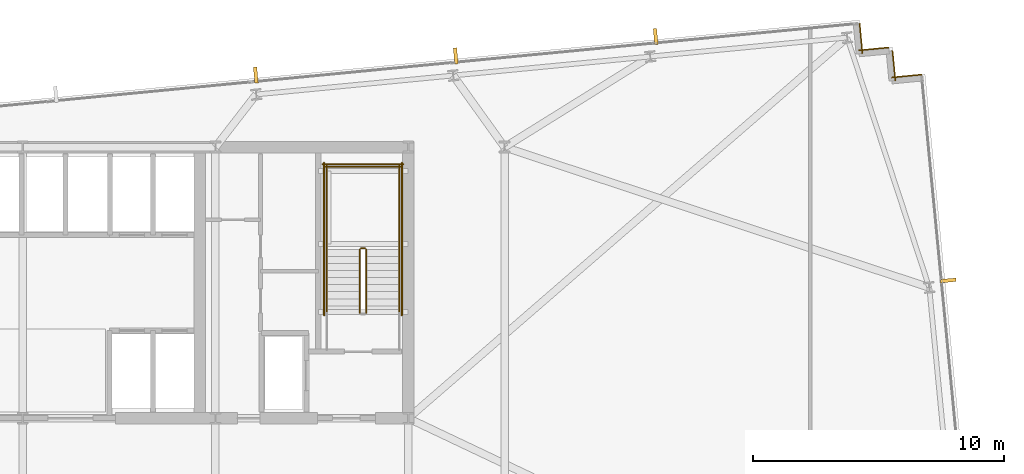
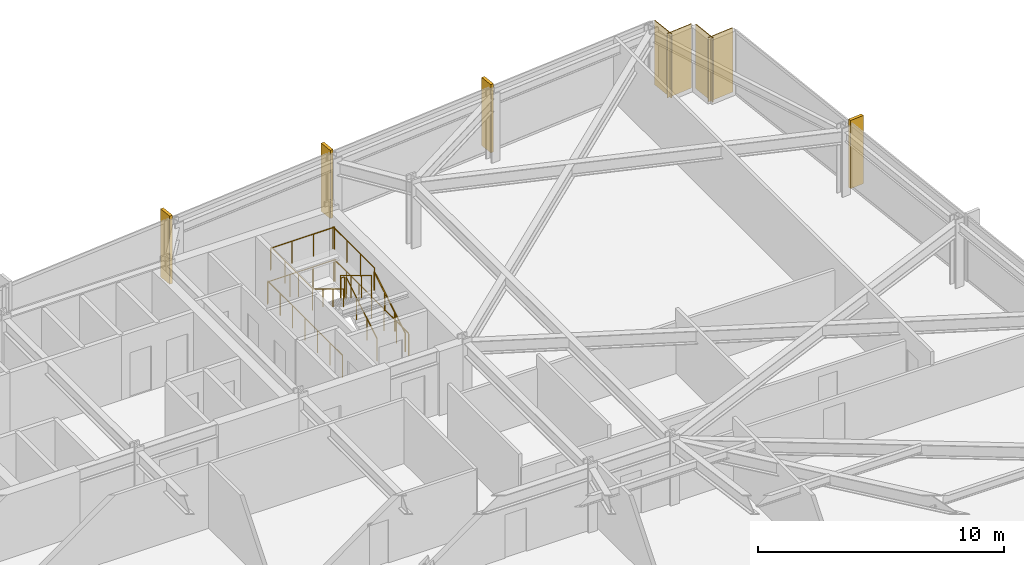
# One storey, part 32 of 32: 11 railings, 4 coverings, 4 shading devices.
"""IFC4 building model written with IfcOpenShell, lengths in metres."""

from ifc_helpers import new_model, si_unit, direction, frame, frame_2d, origin, origin_2d, place, context, subcontext, project, spatial, rectangle, circle, extrude, material, layer, layer_set, type_object, element, save


model = new_model("IFC4")

# Units and contexts
model_context = context("Model", 3, precision=1e-05, world=origin(), true_north=direction((0.0, 1.0)))
body_context = subcontext(model_context, "Body", "Model", "MODEL_VIEW")
ifc_project = project(units=[si_unit("LENGTHUNIT", "METRE"), si_unit("AREAUNIT", "SQUARE_METRE"), si_unit("VOLUMEUNIT", "CUBIC_METRE"), si_unit("PLANEANGLEUNIT", "RADIAN"), si_unit("MASSUNIT", "GRAM", prefix="KILO")], contexts=[model_context])

# Site, building, storey
site_placement = place(None, origin())
site = spatial("IfcSite", under=ifc_project, at=site_placement, CompositionType="ELEMENT")
building_placement = place(site_placement, origin())
building = spatial("IfcBuilding", under=site, at=building_placement, Name="Yelkora Congress Tower", CompositionType="ELEMENT")
storey_placement = place(building_placement, frame((0.0, 0.0, 93.10009765625)))
storey = spatial("IfcBuildingStorey", under=building, at=storey_placement, Name="L24", CompositionType="ELEMENT", Elevation=93.10009765625)

# Coverings
ifc_material_1 = material(Name="Anatolian bush-hammered limestone", Category="masonry")
ifc_layer_1 = layer(ifc_material_1, 0.0400390625)
ifc_layer_set_1 = layer_set([ifc_layer_1], Name="Anatolian bush-hammered limestone")
covering_type = type_object("IfcCoveringType", Name="COV-CLAD-SPANDREL-40", PredefinedType="CLADDING", material=ifc_layer_set_1)
for number, where, z_axis, x_axis, name in (
    (1, (71.74609375, 51.1279296875, 0.0), (0.0, 0.0, 1.0), (0.095817067274, -0.995398960025, 0.0), "L24 Anatolian Limestone Cladding EW-L24-SR11"),
    (2, (71.7138671875, 50.0546875, 0.0), (0.0, 0.0, 1.0), (0.995379537303, 0.096018626938, 0.0), "L24 Anatolian Limestone Cladding EW-L24-SR12"),
):
    element("IfcCovering", number, at=place(storey_placement, frame(where, z_axis=z_axis, x_axis=x_axis)), inside=storey, type_object=covering_type, Name=name, PredefinedType="CLADDING", context=body_context, shape_type="SweptSolid", body=[
        extrude(rectangle(XDim=1.2001953125, YDim=0.0400390625, at=frame_2d((0.60009765625, 0.0))), origin(), (0.0, 0.0, 1.0), 3.179931640625),
    ])
covering_1_placement = place(storey_placement, frame((73.0556640625, 50.04833984375, 0.0), z_axis=(0.0, 0.0, 1.0), x_axis=(0.095836473879, -0.995397091755, 0.0)))
element("IfcCovering", 3, at=covering_1_placement, inside=storey, type_object=covering_type, Name="L24 Anatolian Limestone Cladding EW-L24-SR13", PredefinedType="CLADDING", context=body_context, shape_type="SweptSolid", body=[
    extrude(rectangle(XDim=1.199951171875, YDim=0.0400390625, at=frame_2d((0.60009765625, 0.0))), origin(), (0.0, 0.0, 1.0), 3.179931640625),
])
covering_2_placement = place(storey_placement, frame((73.0234375, 48.975341796875, 0.0), z_axis=(0.0, 0.0, 1.0), x_axis=(0.995398960025, 0.095817067274, 0.0)))
element("IfcCovering", 4, at=covering_2_placement, inside=storey, type_object=covering_type, Name="L24 Anatolian Limestone Cladding EW-L24-SR14", PredefinedType="CLADDING", context=body_context, shape_type="SweptSolid", body=[
    extrude(rectangle(XDim=1.2001953125, YDim=0.0400390625, at=frame_2d((0.60009765625, 0.0))), origin(), (0.0, 0.0, 1.0), 3.179931640625),
])

# Railings
ifc_material_2 = material(Name="Painted galvanised steel stair well guard with vertical infill", Category="steel")
ifc_layer_2 = layer(ifc_material_2, 0.06005859375)
ifc_layer_set_2 = layer_set([ifc_layer_2], Name="Painted galvanised steel stair well guard with vertical infill")
railing_type_1 = type_object("IfcRailingType", Name="RAIL-STAIR-GUARD-1120", PredefinedType="GUARDRAIL", material=ifc_layer_set_2)
railing_1_placement = place(storey_placement, frame((52.090087890625, 39.60009765625, 0.169921875)))
element("IfcRailing", 5, at=railing_1_placement, inside=storey, type_object=railing_type_1, Name="ST-02 L24 Stair Well Guardrail 1", PredefinedType="GUARDRAIL", context=body_context, shape_type="SweptSolid", body=[
    extrude(circle(Radius=0.02392578125, at=origin_2d()), frame((0.0, 0.0, 1.09619140625), z_axis=(0.0, 0.85478489116, 0.518982456201), x_axis=(-1.0, 0.0, 0.0)), (0.0, 0.0, 1.0), 2.9482421875),
    extrude(circle(Radius=0.02099609375, at=origin_2d()), origin(), (0.0, 0.0, 1.0), 1.072021484375),
    extrude(circle(Radius=0.02099609375, at=origin_2d()), frame((0.0, 0.840087890625, 0.510009765625)), (0.0, 0.0, 1.0), 1.072021484375),
    extrude(circle(Radius=0.02099609375, at=origin_2d()), frame((0.0, 1.679931640625, 1.02001953125)), (0.0, 0.0, 1.0), 1.072021484375),
    extrude(circle(Radius=0.02099609375, at=origin_2d()), frame((0.0, 2.52001953125, 1.530029296875)), (0.0, 0.0, 1.0), 1.072021484375),
])
railing_2_placement = place(storey_placement, frame((52.0400390625, 42.169921875, 1.699951171875)))
element("IfcRailing", 6, at=railing_2_placement, inside=storey, type_object=railing_type_1, Name="ST-02 L24 Stair Well Guardrail 2", PredefinedType="GUARDRAIL", context=body_context, shape_type="SweptSolid", body=[
    extrude(circle(Radius=0.02392578125, at=origin_2d()), frame((0.0, 0.0, 1.09619140625), z_axis=(-1.0, 0.0, 0.0), x_axis=(0.0, -1.0, 0.0)), (0.0, 0.0, 1.0), 0.16015625),
    extrude(circle(Radius=0.02099609375, at=origin_2d()), origin(), (0.0, 0.0, 1.0), 1.072021484375),
    extrude(circle(Radius=0.02099609375, at=origin_2d()), frame((-0.16015625, 0.0, 0.0)), (0.0, 0.0, 1.0), 1.072021484375),
])
for number, where, name in (
    (7, (53.409912109375, 42.1201171875, 1.699951171875), "ST-02 L24 Stair Well Guardrail 3"),
    (8, (50.510009765625, 42.1201171875, 1.699951171875), "ST-02 L24 Stair Well Guardrail 4"),
):
    element("IfcRailing", number, at=place(storey_placement, frame(where)), inside=storey, type_object=railing_type_1, Name=name, PredefinedType="GUARDRAIL", context=body_context, shape_type="SweptSolid", body=[
        extrude(circle(Radius=0.02392578125, at=origin_2d()), frame((0.0, 0.0, 1.09619140625), z_axis=(0.0, 1.0, 0.0), x_axis=(-1.0, 0.0, 0.0)), (0.0, 0.0, 1.0), 3.349853515625),
        extrude(circle(Radius=0.02099609375, at=origin_2d()), origin(), (0.0, 0.0, 1.0), 1.072021484375),
        extrude(circle(Radius=0.02099609375, at=origin_2d()), frame((0.0, 1.11669921875, 0.0)), (0.0, 0.0, 1.0), 1.072021484375),
        extrude(circle(Radius=0.02099609375, at=origin_2d()), frame((0.0, 2.233154296875, 0.0)), (0.0, 0.0, 1.0), 1.072021484375),
        extrude(circle(Radius=0.02099609375, at=origin_2d()), frame((0.0, 3.349853515625, 0.0)), (0.0, 0.0, 1.0), 1.072021484375),
    ])
railing_3_placement = place(storey_placement, frame((53.4599609375, 45.419921875, 1.699951171875)))
element("IfcRailing", 9, at=railing_3_placement, inside=storey, type_object=railing_type_1, Name="ST-02 L24 Stair Well Guardrail 5", PredefinedType="GUARDRAIL", context=body_context, shape_type="SweptSolid", body=[
    extrude(circle(Radius=0.02392578125, at=origin_2d()), frame((0.0, 0.0, 1.09619140625), z_axis=(-1.0, 0.0, 0.0), x_axis=(0.0, -1.0, 0.0)), (0.0, 0.0, 1.0), 3.0),
    extrude(circle(Radius=0.02099609375, at=origin_2d()), origin(), (0.0, 0.0, 1.0), 1.072021484375),
    extrude(circle(Radius=0.02099609375, at=origin_2d()), frame((-1.0, 0.0, 0.0)), (0.0, 0.0, 1.0), 1.072021484375),
    extrude(circle(Radius=0.02099609375, at=origin_2d()), frame((-2.0, 0.0, 0.0)), (0.0, 0.0, 1.0), 1.072021484375),
    extrude(circle(Radius=0.02099609375, at=origin_2d()), frame((-3.0, 0.0, 0.0)), (0.0, 0.0, 1.0), 1.072021484375),
])
railing_4_placement = place(storey_placement, frame((51.830078125, 42.1201171875, 1.869873046875)))
element("IfcRailing", 10, at=railing_4_placement, inside=storey, type_object=railing_type_1, Name="ST-02 L24 Stair Well Guardrail 6", PredefinedType="GUARDRAIL", context=body_context, shape_type="SweptSolid", body=[
    extrude(circle(Radius=0.02392578125, at=origin_2d()), frame((0.0, 0.0, 1.09619140625), z_axis=(0.0, -0.85478489116, 0.518982456201), x_axis=(1.0, 0.0, 0.0)), (0.0, 0.0, 1.0), 2.9482421875),
    extrude(circle(Radius=0.02099609375, at=origin_2d()), origin(), (0.0, 0.0, 1.0), 1.072021484375),
    extrude(circle(Radius=0.02099609375, at=origin_2d()), frame((0.0, -0.840087890625, 0.510009765625)), (0.0, 0.0, 1.0), 1.072021484375),
    extrude(circle(Radius=0.02099609375, at=origin_2d()), frame((0.0, -1.679931640625, 1.02001953125)), (0.0, 0.0, 1.0), 1.072021484375),
    extrude(circle(Radius=0.02099609375, at=origin_2d()), frame((0.0, -2.52001953125, 1.530029296875)), (0.0, 0.0, 1.0), 1.072021484375),
])
for number, where, name in (
    (11, (53.510009765625, 39.5, 0.0), "ST-02 L24 Stair Well Guardrail 10"),
    (12, (50.409912109375, 39.5, 0.0), "ST-02 L24 Stair Well Guardrail 11"),
):
    element("IfcRailing", number, at=place(storey_placement, frame(where)), inside=storey, type_object=railing_type_1, Name=name, PredefinedType="GUARDRAIL", context=body_context, shape_type="SweptSolid", body=[
        extrude(circle(Radius=0.02392578125, at=origin_2d()), frame((0.0, 0.0, 1.09619140625), z_axis=(0.0, 1.0, 0.0), x_axis=(-1.0, 0.0, 0.0)), (0.0, 0.0, 1.0), 6.070068359375),
        extrude(circle(Radius=0.02099609375, at=origin_2d()), origin(), (0.0, 0.0, 1.0), 1.072021484375),
        extrude(circle(Radius=0.02099609375, at=origin_2d()), frame((0.0, 1.01171875, 0.0)), (0.0, 0.0, 1.0), 1.072021484375),
        extrude(circle(Radius=0.02099609375, at=origin_2d()), frame((0.0, 2.0234375, 0.0)), (0.0, 0.0, 1.0), 1.072021484375),
        extrude(circle(Radius=0.02099609375, at=origin_2d()), frame((0.0, 3.03515625, 0.0)), (0.0, 0.0, 1.0), 1.072021484375),
        extrude(circle(Radius=0.02099609375, at=origin_2d()), frame((0.0, 4.046630859375, 0.0)), (0.0, 0.0, 1.0), 1.072021484375),
        extrude(circle(Radius=0.02099609375, at=origin_2d()), frame((0.0, 5.058349609375, 0.0)), (0.0, 0.0, 1.0), 1.072021484375),
        extrude(circle(Radius=0.02099609375, at=origin_2d()), frame((0.0, 6.070068359375, 0.0)), (0.0, 0.0, 1.0), 1.072021484375),
    ])
railing_5_placement = place(storey_placement, frame((53.56005859375, 45.52001953125, 0.0)))
element("IfcRailing", 13, at=railing_5_placement, inside=storey, type_object=railing_type_1, Name="ST-02 L24 Stair Well Guardrail 12", PredefinedType="GUARDRAIL", context=body_context, shape_type="SweptSolid", body=[
    extrude(circle(Radius=0.02392578125, at=origin_2d()), frame((0.0, 0.0, 1.09619140625), z_axis=(-1.0, 0.0, 0.0), x_axis=(0.0, -1.0, 0.0)), (0.0, 0.0, 1.0), 3.199951171875),
    extrude(circle(Radius=0.02099609375, at=origin_2d()), origin(), (0.0, 0.0, 1.0), 1.072021484375),
    extrude(circle(Radius=0.02099609375, at=origin_2d()), frame((-1.066650390625, 0.0, 0.0)), (0.0, 0.0, 1.0), 1.072021484375),
    extrude(circle(Radius=0.02099609375, at=origin_2d()), frame((-2.13330078125, 0.0, 0.0)), (0.0, 0.0, 1.0), 1.072021484375),
    extrude(circle(Radius=0.02099609375, at=origin_2d()), frame((-3.199951171875, 0.0, 0.0)), (0.0, 0.0, 1.0), 1.072021484375),
])
ifc_material_3 = material(Name="Brushed stainless steel tubular handrail", Category="steel")
ifc_layer_3 = layer(ifc_material_3, 0.050048828125)
ifc_layer_set_3 = layer_set([ifc_layer_3], Name="Brushed stainless steel tubular handrail")
railing_type_2 = type_object("IfcRailingType", Name="RAIL-STAIR-HAND-920", PredefinedType="HANDRAIL", material=ifc_layer_set_3)
railing_6_placement = place(storey_placement, frame((53.409912109375, 39.60009765625, 0.169921875)))
element("IfcRailing", 14, at=railing_6_placement, inside=storey, type_object=railing_type_2, Name="ST-02 L24 Pitch Handrail 1", PredefinedType="HANDRAIL", context=body_context, shape_type="SweptSolid", body=[
    extrude(circle(Radius=0.02392578125, at=origin_2d()), frame((0.0, 0.0, 0.89599609375), z_axis=(0.0, 0.85478489116, 0.518982456201), x_axis=(-1.0, 0.0, 0.0)), (0.0, 0.0, 1.0), 2.9482421875),
    extrude(circle(Radius=0.02099609375, at=origin_2d()), origin(), (0.0, 0.0, 1.0), 0.871826171875),
    extrude(circle(Radius=0.02099609375, at=origin_2d()), frame((0.0, 0.840087890625, 0.510009765625)), (0.0, 0.0, 1.0), 0.871826171875),
    extrude(circle(Radius=0.02099609375, at=origin_2d()), frame((0.0, 1.679931640625, 1.02001953125)), (0.0, 0.0, 1.0), 0.871826171875),
    extrude(circle(Radius=0.02099609375, at=origin_2d()), frame((0.0, 2.52001953125, 1.530029296875)), (0.0, 0.0, 1.0), 0.871826171875),
])
railing_7_placement = place(storey_placement, frame((50.510009765625, 42.1201171875, 1.869873046875)))
element("IfcRailing", 15, at=railing_7_placement, inside=storey, type_object=railing_type_2, Name="ST-02 L24 Pitch Handrail 2", PredefinedType="HANDRAIL", context=body_context, shape_type="SweptSolid", body=[
    extrude(circle(Radius=0.02392578125, at=origin_2d()), frame((0.0, 0.0, 0.89599609375), z_axis=(0.0, -0.85478489116, 0.518982456201), x_axis=(1.0, 0.0, 0.0)), (0.0, 0.0, 1.0), 2.9482421875),
    extrude(circle(Radius=0.02099609375, at=origin_2d()), origin(), (0.0, 0.0, 1.0), 0.871826171875),
    extrude(circle(Radius=0.02099609375, at=origin_2d()), frame((0.0, -0.840087890625, 0.510009765625)), (0.0, 0.0, 1.0), 0.871826171875),
    extrude(circle(Radius=0.02099609375, at=origin_2d()), frame((0.0, -1.679931640625, 1.02001953125)), (0.0, 0.0, 1.0), 0.871826171875),
    extrude(circle(Radius=0.02099609375, at=origin_2d()), frame((0.0, -2.52001953125, 1.530029296875)), (0.0, 0.0, 1.0), 0.871826171875),
])

# Shading devices
ifc_material_4 = material(Name="Champagne anodised aluminium", Category="aluminium")
ifc_layer_4 = layer(ifc_material_4, 3.39990234375)
ifc_layer_set_4 = layer_set([ifc_layer_4], Name="Champagne anodised aluminium")
shading_device_type = type_object("IfcShadingDeviceType", Name="SHD-FIN-ALU-640", PredefinedType="USERDEFINED", material=ifc_layer_set_4)
for number, where, z_axis, x_axis, name in (
    (16, (47.68896484375, 49.072509765625, -0.030029296875), (0.0, 0.0, 1.0), (0.995396198367, 0.09584575252, 0.0), "L24 Vertical Anodised Solar Fin 10-4"),
    (17, (55.65478515625, 49.839599609375, -0.030029296875), (0.0, 0.0, 1.0), (0.995396198367, 0.09584575252, 0.0), "L24 Vertical Anodised Solar Fin 10-5"),
    (18, (63.620849609375, 50.606689453125, -0.030029296875), (0.0, 0.0, 1.0), (0.995396198367, 0.09584575252, 0.0), "L24 Vertical Anodised Solar Fin 10-6"),
    (19, (75.268798828125, 40.888427734375, -0.030029296875), (0.0, 0.0, 1.0), (0.09584575252, -0.995396198367, 0.0), "L24 Vertical Anodised Solar Fin 15-1"),
):
    element("IfcShadingDevice", number, at=place(storey_placement, frame(where, z_axis=z_axis, x_axis=x_axis)), inside=storey, type_object=shading_device_type, Name=name, ObjectType="FIN", PredefinedType="USERDEFINED", context=body_context, shape_type="SweptSolid", body=[
        extrude(rectangle(XDim=0.139892578125, YDim=0.639892578125, at=origin_2d()), origin(), (0.0, 0.0, 1.0), 3.3798828125),
    ])

save(model, "model.ifc")
